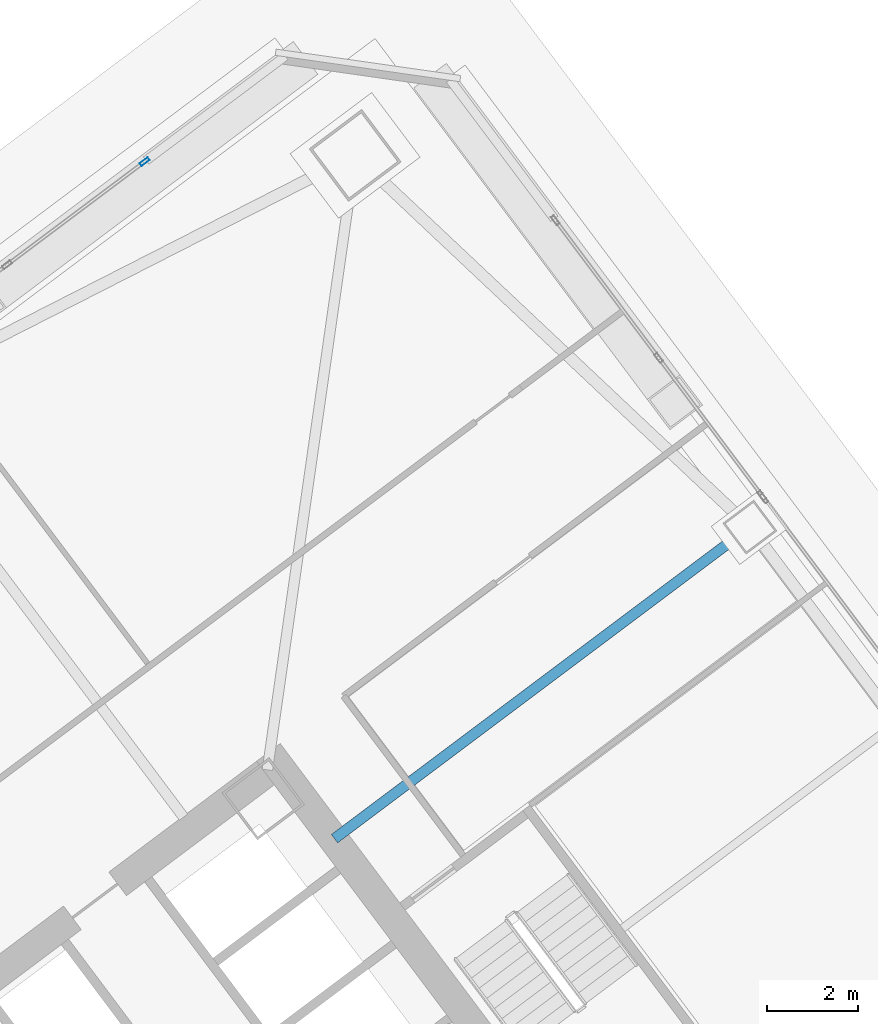
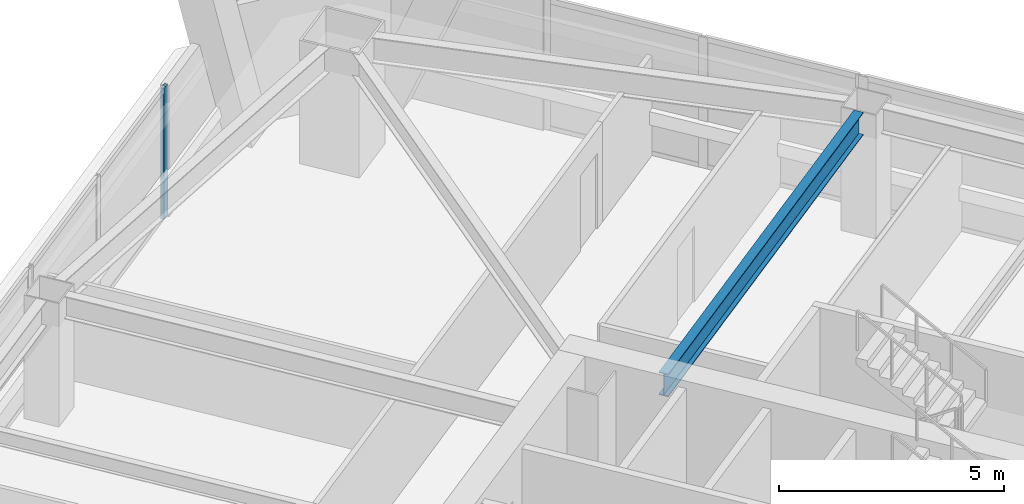
# One storey, part 51 of 67: 1 beam, 1 member, 1 element without a shape of its own.
"""IFC4 building model written with IfcOpenShell, lengths in metres."""

from ifc_helpers import new_model, si_unit, direction, frame, origin, origin_2d, place, context, subcontext, project, spatial, hollow_rectangle, i_section, extrude, material, material_profile, profile_set, type_object, element, aggregate, save


model = new_model("IFC4")

# Units and contexts
model_context = context("Model", 3, precision=1e-05, world=origin(), true_north=direction((0.0, 1.0)))
body_context = subcontext(model_context, "Body", "Model", "MODEL_VIEW")
ifc_project = project(units=[si_unit("LENGTHUNIT", "METRE"), si_unit("AREAUNIT", "SQUARE_METRE"), si_unit("VOLUMEUNIT", "CUBIC_METRE"), si_unit("PLANEANGLEUNIT", "RADIAN"), si_unit("MASSUNIT", "GRAM", prefix="KILO")], contexts=[model_context])

# Site, building, storey
site_placement = place(None, origin())
site = spatial("IfcSite", under=ifc_project, at=site_placement, CompositionType="ELEMENT")
building_placement = place(site_placement, origin())
building = spatial("IfcBuilding", under=site, at=building_placement, Name="Tashvorn Skyway Center", CompositionType="ELEMENT")
storey_placement = place(building_placement, frame((0.0, 0.0, 67.199951171875)))
storey = spatial("IfcBuildingStorey", under=building, at=storey_placement, Name="L17", CompositionType="ELEMENT", Elevation=67.199951171875)

# Beam
ifc_material_1 = material(Name="Steel ASTM A992 Grade 50", Category="steel")
ifc_material_profile_1 = material_profile(ifc_material_1, i_section(OverallWidth=0.22998046875, OverallDepth=0.616943359375, WebThickness=0.01318359375, FlangeThickness=0.022216796875, at=origin_2d()), Name="W24X94")
ifc_profile_set_1 = profile_set([ifc_material_profile_1], Name="Steel ASTM A992 Grade 50")
beam_type = type_object("IfcBeamType", Name="BM-BEAM-W24X94", PredefinedType="BEAM", material=ifc_profile_set_1)
beam_placement = place(storey_placement, frame((125.823974609375, 47.617919921875, 3.04150390625), z_axis=(-0.800007953832, -0.599989394744, 0.0), x_axis=(0.599989394744, -0.800007953832, 0.0)))
element("IfcBeam", 1, at=beam_placement, inside=storey, type_object=beam_type, Name="Tower 2 L17 Primary Floor Girder FC-E2", PredefinedType="BEAM", context=body_context, shape_type="SweptSolid", body=[
    extrude(i_section(OverallWidth=0.22998046875, OverallDepth=0.616943359375, WebThickness=0.01318359375, FlangeThickness=0.022216796875, at=origin_2d()), origin(), (0.0, 0.0, 1.0), 11.050048828125),
])

# Curtain wall, member
ifc_material_2 = material(Name="Thermally broken bronze-anodized aluminium 6063-T6", Category="aluminium")
curtain_wall_type = type_object("IfcCurtainWallType", Name="CW-CW-Z2", PredefinedType="NOTDEFINED", material=ifc_material_2)
curtain_wall_placement = place(storey_placement, origin())
curtain_wall = element("IfcCurtainWall", 2, at=curtain_wall_placement, inside=storey, type_object=curtain_wall_type, Name="Tower 2 L17 North Unitised Curtain Wall Glazing Group 3", PredefinedType="NOTDEFINED")
ifc_material_profile_2 = material_profile(ifc_material_2, hollow_rectangle(XDim=0.080078125, YDim=0.219970703125, WallThickness=0.0048828125, at=origin_2d()), Name="ALU-MULL-80x220")
ifc_profile_set_2 = profile_set([ifc_material_profile_2], Name="Thermally broken bronze-anodized aluminium 6063-T6")
member_type = type_object("IfcMemberType", Name="CWM-CW-Z2", PredefinedType="MULLION", material=ifc_profile_set_2)
member_placement = place(storey_placement, frame((112.7919921875, 55.944091796875, 0.0), z_axis=(0.0, 0.0, 1.0), x_axis=(-0.600000000002, 0.799999999998, 0.0)))
member = element("IfcMember", 3, at=member_placement, type_object=member_type, Name="CW-Z2 mullion 3", PredefinedType="MULLION", context=body_context, shape_type="SweptSolid", body=[
    extrude(hollow_rectangle(XDim=0.080078125, YDim=0.219970703125, WallThickness=0.0048828125, at=origin_2d()), origin(), (0.0, 0.0, 1.0), 3.550048828125),
])
aggregate(curtain_wall, [member])

save(model, "model.ifc")
